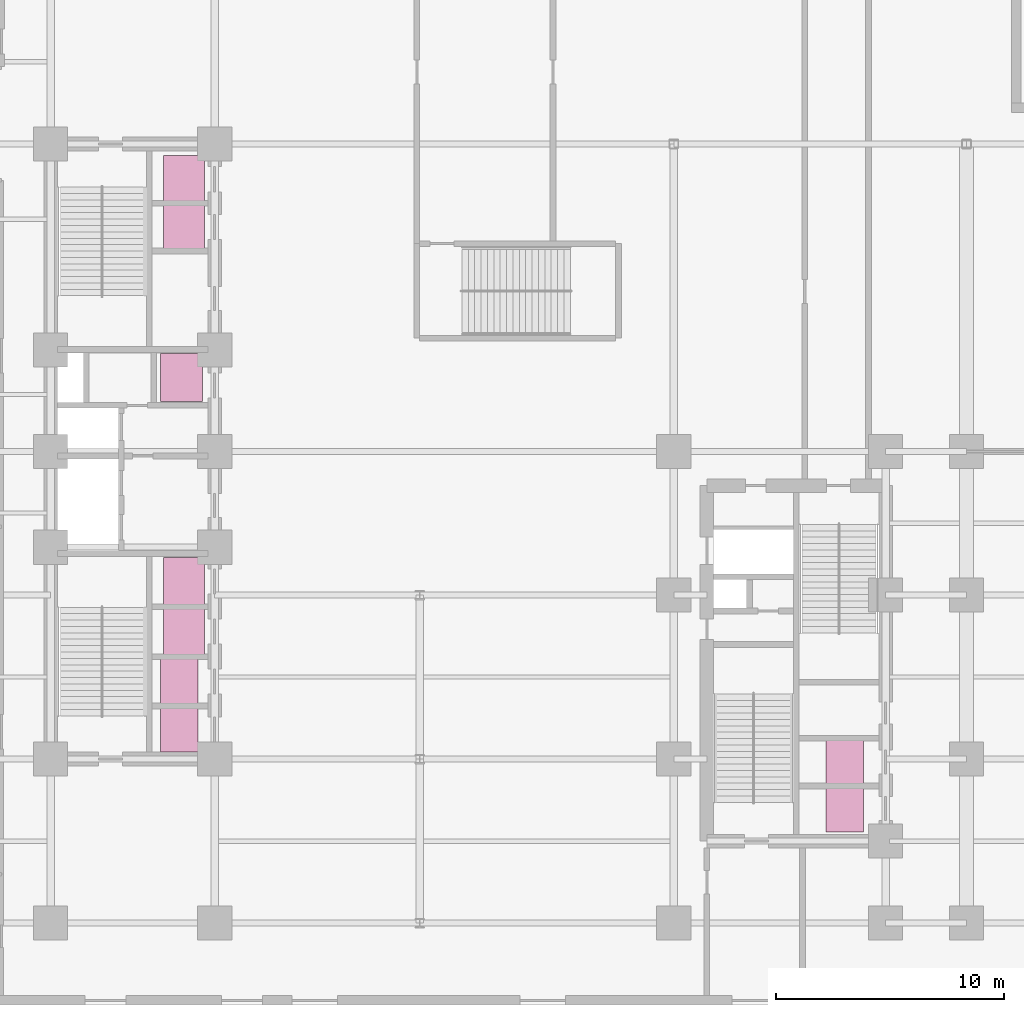
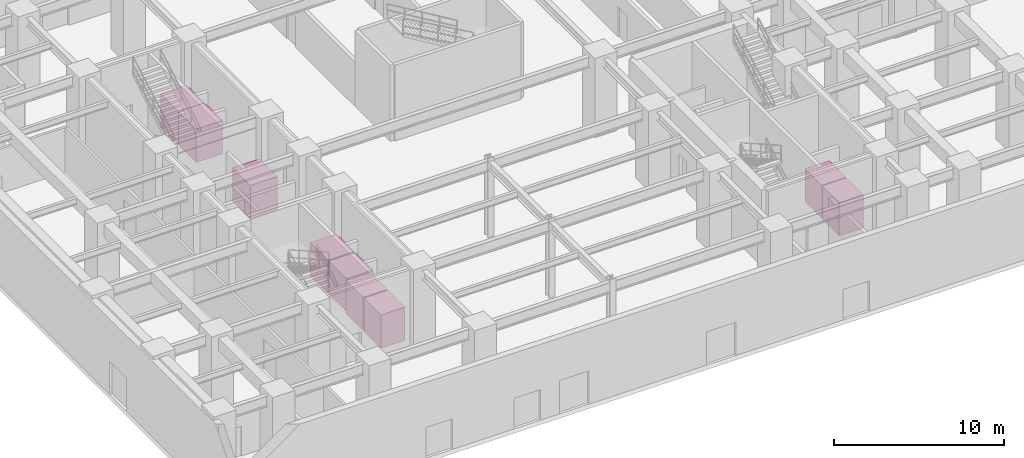
# One storey, part 18 of 18: 9 transport elements.
"""IFC4 building model written with IfcOpenShell, lengths in metres."""

from ifc_helpers import new_model, entity, si_unit, converted_unit, direction, frame, origin_with_axes, origin_2d_with_axis, place, context, subcontext, project, spatial, rectangle, extrude, material, type_object, element, save


model = new_model("IFC4")

# Units and contexts
model_context = context("Model", 3, precision=1e-05, world=origin_with_axes(), true_north=direction((0.0, 1.0)))
body_context = subcontext(model_context, "Body", "Model", "MODEL_VIEW")
ifc_project = project(units=[si_unit("LENGTHUNIT", "METRE"), si_unit("AREAUNIT", "SQUARE_METRE"), si_unit("VOLUMEUNIT", "CUBIC_METRE"), converted_unit("PLANEANGLEUNIT", "DEGREE", entity("IfcPlaneAngleMeasure", 0.017453292519943295), si_unit("PLANEANGLEUNIT", "RADIAN"), dimensions=[0, 0, 0, 0, 0, 0, 0]), si_unit("MASSUNIT", "GRAM", prefix="KILO"), si_unit("THERMODYNAMICTEMPERATUREUNIT", "KELVIN")], contexts=[model_context])

# Site, building, storey
site_placement = place(None, origin_with_axes())
site = spatial("IfcSite", under=ifc_project, at=site_placement, CompositionType="ELEMENT")
building_placement = place(site_placement, origin_with_axes())
building = spatial("IfcBuilding", under=site, at=building_placement, Name="Varnlund Millrace Tower", CompositionType="ELEMENT")
storey_placement = place(building_placement, origin_with_axes())
storey = spatial("IfcBuildingStorey", under=building, at=storey_placement, Name="L00", CompositionType="ELEMENT", Elevation=0.0)

# Transport elements
ifc_material = material(Name="Stainless steel and architectural bronze elevator cab", Category="steel")
transport_element_type_1 = type_object("IfcTransportElementType", Name="Type-Lift-Observatory-2100X1850", PredefinedType="ELEVATOR", material=ifc_material)
transport_element_placement = place(storey_placement, frame((17.15, 27.55, 0.0), z_axis=(0.0, 0.0, 1.0), x_axis=(1.0, 0.0, 0.0)))
element("IfcTransportElement", 1, at=transport_element_placement, inside=storey, type_object=transport_element_type_1, Name="Observatory Express Lift ELV-OB1", PredefinedType="ELEVATOR", context=body_context, shape_type="SweptSolid", body=[
    extrude(rectangle(XDim=1.85, YDim=2.1, at=origin_2d_with_axis()), origin_with_axes(), (0.0, 0.0, 1.0), 2.4),
])
transport_element_type_2 = type_object("IfcTransportElementType", Name="Type-Lift-Passenger-2000X1650", PredefinedType="ELEVATOR", material=ifc_material)
for number, where, z_axis, x_axis, name in (
    (2, (17.05, 12.1, 0.0), (0.0, 0.0, 1.0), (1.0, 0.0, 0.0), "Passenger Lift ELV-L1 (Bank 1)"),
    (3, (17.05, 14.2, 0.0), (0.0, 0.0, 1.0), (1.0, 0.0, 0.0), "Passenger Lift ELV-L2 (Bank 1)"),
    (4, (46.25, 8.6, 0.0), (0.0, 0.0, 1.0), (1.0, 0.0, 0.0), "Passenger Lift ELV-L3 (Bank 1)"),
    (5, (46.25, 10.65, 0.0), (0.0, 0.0, 1.0), (1.0, 0.0, 0.0), "Passenger Lift ELV-L4 (Bank 1)"),
):
    element("IfcTransportElement", number, at=place(storey_placement, frame(where, z_axis=z_axis, x_axis=x_axis)), inside=storey, type_object=transport_element_type_2, Name=name, PredefinedType="ELEVATOR", context=body_context, shape_type="SweptSolid", body=[
        extrude(rectangle(XDim=1.65, YDim=2.0, at=origin_2d_with_axis()), origin_with_axes(), (0.0, 0.0, 1.0), 2.4),
    ])
transport_element_type_3 = type_object("IfcTransportElementType", Name="Type-Lift-Shuttle-2100X1800", PredefinedType="ELEVATOR", material=ifc_material)
for number, where, z_axis, x_axis, name in (
    (6, (17.25, 16.4, 0.0), (0.0, 0.0, 1.0), (1.0, 0.0, 0.0), "Express Shuttle Lift ELV-S1A"),
    (7, (17.25, 18.6, 0.0), (0.0, 0.0, 1.0), (1.0, 0.0, 0.0), "Express Shuttle Lift ELV-S1B"),
    (8, (17.25, 34.15, 0.0), (0.0, 0.0, 1.0), (1.0, 0.0, 0.0), "Express Shuttle Lift ELV-S2A"),
    (9, (17.25, 36.25, 0.0), (0.0, 0.0, 1.0), (1.0, 0.0, 0.0), "Express Shuttle Lift ELV-S2B"),
):
    element("IfcTransportElement", number, at=place(storey_placement, frame(where, z_axis=z_axis, x_axis=x_axis)), inside=storey, type_object=transport_element_type_3, Name=name, PredefinedType="ELEVATOR", context=body_context, shape_type="SweptSolid", body=[
        extrude(rectangle(XDim=1.8, YDim=2.1, at=origin_2d_with_axis()), origin_with_axes(), (0.0, 0.0, 1.0), 2.4),
    ])

save(model, "model.ifc")
